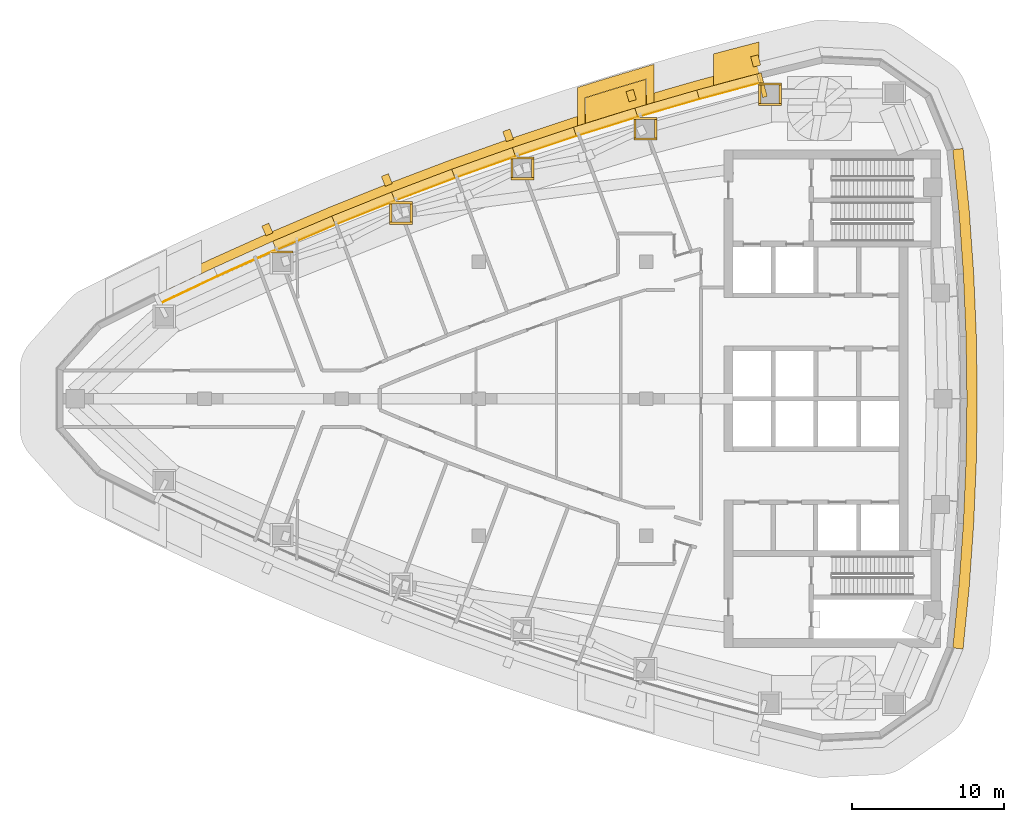
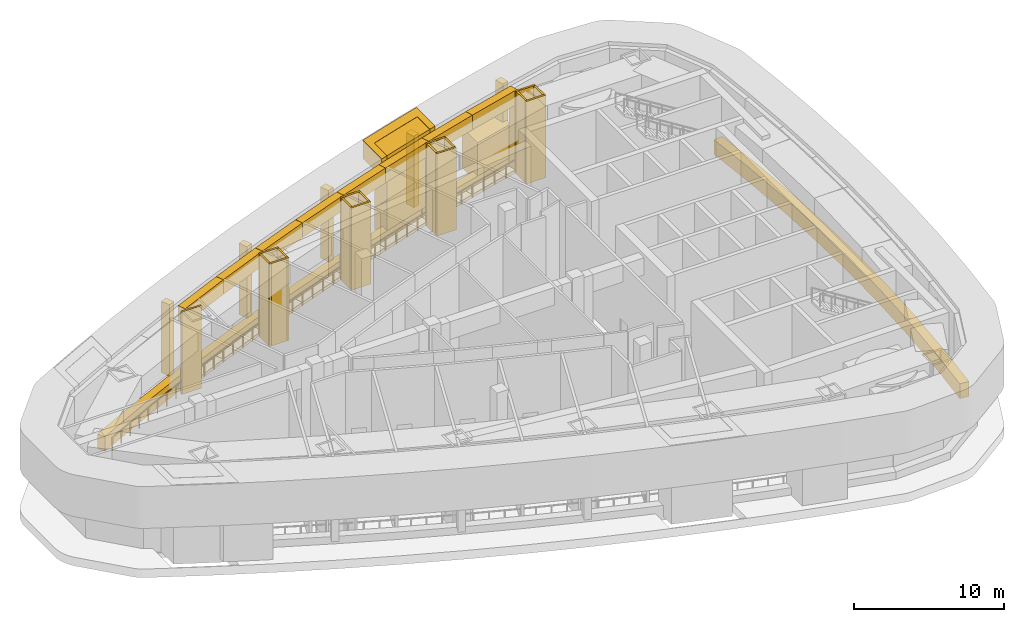
# One storey, part 10 of 12: 44 coverings, 1 railing.
"""IFC4 building model written with IfcOpenShell, lengths in metres."""

from ifc_helpers import new_model, si_unit, direction, frame, frame_2d, origin, origin_2d, place, context, subcontext, project, spatial, polyline, rectangle, circle, outline, extrude, material, layer, layer_set, type_object, element, save


model = new_model("IFC4")

# Units and contexts
model_context = context("Model", 3, precision=1e-05, world=origin(), true_north=direction((0.0, 1.0)))
body_context = subcontext(model_context, "Body", "Model", "MODEL_VIEW")
ifc_project = project(units=[si_unit("LENGTHUNIT", "METRE"), si_unit("AREAUNIT", "SQUARE_METRE"), si_unit("VOLUMEUNIT", "CUBIC_METRE"), si_unit("PLANEANGLEUNIT", "RADIAN"), si_unit("MASSUNIT", "GRAM", prefix="KILO")], contexts=[model_context])

# Site, building, storey
site_placement = place(None, origin())
site = spatial("IfcSite", under=ifc_project, at=site_placement, CompositionType="ELEMENT")
building_placement = place(site_placement, origin())
building = spatial("IfcBuilding", under=site, at=building_placement, Name="Ostrand Prow Hotel Tower", CompositionType="ELEMENT")
storey_placement = place(building_placement, frame((0.0, 0.0, 256.300048828125)))
storey = spatial("IfcBuildingStorey", under=building, at=storey_placement, Name="L65", CompositionType="ELEMENT", Elevation=256.300048828125)

# Coverings
ifc_material_1 = material(Name="Limestone cladding", Category="masonry")
ifc_layer_1 = layer(ifc_material_1, 2.0)
ifc_layer_set_1 = layer_set([ifc_layer_1], Name="Limestone cladding")
covering_type_1 = type_object("IfcCoveringType", Name="Belt lip limestone", PredefinedType="CLADDING", material=ifc_layer_set_1)
covering_1_placement = place(storey_placement, frame((0.0, 0.0, 0.300048828125)))
element("IfcCovering", 1, at=covering_1_placement, inside=storey, type_object=covering_type_1, Name="Slot frame post NB", PredefinedType="CLADDING", context=body_context, shape_type="SweptSolid", body=[
    extrude(outline(polyline([(49.40625, 20.56787109375), (50.15625, 20.771240234375), (50.90625, 20.9716796875), (51.65625, 21.169189453125), (52.40625, 21.363525390625), (52.40625, 23.427978515625), (51.65625, 23.235595703125), (50.90625, 23.0400390625), (50.15625, 22.841796875), (49.40625, 22.640380859375), (49.40625, 20.56787109375)])), origin(), (0.0, 0.0, 1.0), 3.2998046875),
])
ifc_material_2 = material(Name="Bronze anodised aluminium cladding", Category="aluminium")
ifc_layer_2 = layer(ifc_material_2, 0.60009765625)
ifc_layer_set_2 = layer_set([ifc_layer_2], Name="Bronze anodised aluminium cladding")
covering_type_2 = type_object("IfcCoveringType", Name="Bronze spandrel band 1200x600", PredefinedType="CLADDING", material=ifc_layer_set_2)
covering_2_placement = place(storey_placement, frame((0.0, 0.0, -0.300048828125)))
element("IfcCovering", 2, at=covering_2_placement, inside=storey, type_object=covering_type_2, Name="Spandrel band N1", PredefinedType="CLADDING", context=body_context, shape_type="SweptSolid", body=[
    extrude(outline(polyline([(52.256591796875, 21.944580078125), (48.16064453125, 20.846435546875), (44.087890625, 19.665771484375), (40.039306640625, 18.403564453125), (36.017333984375, 17.059814453125), (32.02294921875, 15.635498046875), (28.058349609375, 14.131103515625), (24.12451171875, 12.547119140625), (20.2236328125, 10.88427734375), (16.35693359375, 9.14306640625), (12.526123046875, 7.324462890625), (12.788818359375, 6.784912109375), (16.60888671875, 8.598388671875), (20.464599609375, 10.334716796875), (24.354248046875, 11.992919921875), (28.27685546875, 13.572265625), (32.230224609375, 15.072509765625), (36.213134765625, 16.49267578125), (40.223876953125, 17.83251953125), (44.260498046875, 19.09130859375), (48.322021484375, 20.268310546875), (52.40625, 21.363525390625), (52.256591796875, 21.944580078125)])), origin(), (0.0, 0.0, 1.0), 1.199951171875),
])
covering_3_placement = place(storey_placement, frame((0.0, 0.0, -0.300048828125)))
element("IfcCovering", 3, at=covering_3_placement, inside=storey, type_object=covering_type_2, Name="Spandrel band back 3", PredefinedType="CLADDING", context=body_context, shape_type="SweptSolid", body=[
    extrude(outline(polyline([(65.81201171875, -16.4365234375), (66.218505859375, -12.3388671875), (66.509033203125, -8.2314453125), (66.68359375, -4.117431640625), (66.74169921875, 0.0), (66.68359375, 4.117431640625), (66.509033203125, 8.2314453125), (66.218505859375, 12.3388671875), (65.81201171875, 16.4365234375), (65.13623046875, 16.35986328125), (65.541015625, 12.281494140625), (65.830078125, 8.193115234375), (66.00390625, 4.09814453125), (66.061767578125, 0.0), (66.00390625, -4.09814453125), (65.830078125, -8.193115234375), (65.541015625, -12.281494140625), (65.13623046875, -16.35986328125), (65.81201171875, -16.4365234375)])), origin(), (0.0, 0.0, 1.0), 1.199951171875),
])
ifc_material_3 = material(Name="Limestone cladding", Category="masonry")
ifc_layer_3 = layer(ifc_material_3, 5.0)
ifc_layer_set_3 = layer_set([ifc_layer_3], Name="Limestone cladding")
covering_type_3 = type_object("IfcCoveringType", Name="Portal jamb pilaster limestone", PredefinedType="CLADDING", material=ifc_layer_set_3)
covering_4_placement = place(storey_placement, origin())
element("IfcCovering", 4, at=covering_4_placement, inside=storey, type_object=covering_type_3, Name="Portal jamb NB L65", PredefinedType="CLADDING", context=body_context, shape_type="SweptSolid", body=[
    extrude(outline(polyline([(41.0, 18.08154296875), (42.0, 18.3974609375), (43.0, 18.707763671875), (44.0, 19.0126953125), (45.0, 19.312255859375), (45.0, 20.980712890625), (44.0, 20.68359375), (43.0, 20.381103515625), (42.0, 20.0732421875), (41.0, 19.760009765625), (41.0, 18.08154296875)])), origin(), (0.0, 0.0, 1.0), 7.0),
])
ifc_material_4 = material(Name="Limestone cladding", Category="masonry")
ifc_layer_4 = layer(ifc_material_4, 4.0)
ifc_layer_set_4 = layer_set([ifc_layer_4], Name="Limestone cladding")
covering_type_4 = type_object("IfcCoveringType", Name="Portal lintel limestone", PredefinedType="CLADDING", material=ifc_layer_set_4)
covering_5_placement = place(storey_placement, frame((0.0, 0.0, 5.5)))
element("IfcCovering", 5, at=covering_5_placement, inside=storey, type_object=covering_type_4, Name="Portal jamb cap NB L65", PredefinedType="CLADDING", context=body_context, shape_type="SweptSolid", body=[
    extrude(outline(polyline([(40.5, 20.44091796875), (40.5, 17.92138671875), (40.99072265625, 18.077880859375), (40.990478515625, 18.07861328125), (40.990234375, 18.07958984375), (40.989990234375, 18.08056640625), (40.989990234375, 18.08154296875), (40.989990234375, 19.760009765625), (40.989990234375, 19.760986328125), (40.990234375, 19.761962890625), (40.990478515625, 19.762939453125), (40.99072265625, 19.763916015625), (40.9912109375, 19.764892578125), (40.99169921875, 19.765625), (40.9921875, 19.766357421875), (40.992919921875, 19.76708984375), (40.99365234375, 19.767822265625), (40.994384765625, 19.768310546875), (40.9951171875, 19.768798828125), (40.99609375, 19.769287109375), (40.9970703125, 19.76953125), (41.9970703125, 20.0830078125), (41.9970703125, 20.0830078125), (42.9970703125, 20.390625), (42.9970703125, 20.390625), (43.9970703125, 20.693115234375), (43.997314453125, 20.693115234375), (44.997314453125, 20.990234375), (44.998046875, 20.990478515625), (44.9990234375, 20.990478515625), (45.0, 20.990478515625), (45.0009765625, 20.990478515625), (45.001953125, 20.990478515625), (45.0029296875, 20.990234375), (45.00390625, 20.98974609375), (45.004638671875, 20.989501953125), (45.005615234375, 20.989013671875), (45.00634765625, 20.98828125), (45.007080078125, 20.98779296875), (45.0078125, 20.98681640625), (45.00830078125, 20.986083984375), (45.0087890625, 20.9853515625), (45.00927734375, 20.984375), (45.009521484375, 20.9833984375), (45.009765625, 20.982666015625), (45.010009765625, 20.981689453125), (45.010009765625, 20.980712890625), (45.010009765625, 19.314453125), (45.5, 19.4599609375), (45.5, 21.960205078125), (44.5, 21.667236328125), (43.5, 21.36865234375), (42.5, 21.064697265625), (41.5, 20.755615234375), (40.5, 20.44091796875)])), origin(), (0.0, 0.0, 1.0), 1.5),
])
ifc_material_5 = material(Name="Limestone cladding", Category="masonry")
ifc_layer_5 = layer(ifc_material_5, 0.5)
ifc_layer_set_5 = layer_set([ifc_layer_5], Name="Limestone cladding")
covering_type_5 = type_object("IfcCoveringType", Name="Precast stone fin 500x600", PredefinedType="CLADDING", material=ifc_layer_set_5)
covering_6_placement = place(storey_placement, frame((52.281494140625, 21.847900390625, 0.89990234375), z_axis=(0.0, 0.0, 1.0), x_axis=(-0.249097137298, 0.968478505797, 0.0)))
element("IfcCovering", 6, at=covering_6_placement, inside=storey, type_object=covering_type_5, Name="Stone fin N 1", PredefinedType="CLADDING", context=body_context, shape_type="SweptSolid", body=[
    extrude(rectangle(XDim=0.69970703125, YDim=0.5, at=frame_2d((0.349853515625, 0.0))), origin(), (0.0, 0.0, 1.0), 5.800048828125),
])
covering_7_placement = place(storey_placement, frame((44.11669921875, 19.570068359375, 0.89990234375), z_axis=(0.0, 0.0, 1.0), x_axis=(-0.288371415505, 0.95751862996, 0.0)))
element("IfcCovering", 7, at=covering_7_placement, inside=storey, type_object=covering_type_5, Name="Stone fin N 3", PredefinedType="CLADDING", context=body_context, shape_type="SweptSolid", body=[
    extrude(rectangle(XDim=0.7001953125, YDim=0.5, at=frame_2d((0.35009765625, 0.0))), origin(), (0.0, 0.0, 1.0), 5.800048828125),
])
for number, where, z_axis, x_axis, name in (
    (8, (36.0498046875, 16.96533203125, 0.89990234375), (0.0, 0.0, 1.0), (-0.32646359768, 0.945209775335, 0.0), "Stone fin N 5"),
    (9, (28.0947265625, 14.0380859375, 0.89990234375), (0.0, 0.0, 1.0), (-0.364465099475, 0.931217048418, 0.0), "Stone fin N 7"),
    (10, (20.263916015625, 10.79248046875, 0.89990234375), (0.0, 0.0, 1.0), (-0.40144082023, 0.915884964312, 0.0), "Stone fin N 9"),
):
    element("IfcCovering", number, at=place(storey_placement, frame(where, z_axis=z_axis, x_axis=x_axis)), inside=storey, type_object=covering_type_5, Name=name, PredefinedType="CLADDING", context=body_context, shape_type="SweptSolid", body=[
        extrude(rectangle(XDim=0.699951171875, YDim=0.5, at=frame_2d((0.35009765625, 0.0))), origin(), (0.0, 0.0, 1.0), 5.800048828125),
    ])

# Railing
ifc_material_6 = material(Name="Stainless steel", Category="steel")
railing_type = type_object("IfcRailingType", Name="Slot floor guard 1100", PredefinedType="GUARDRAIL", material=ifc_material_6)
railing_placement = place(storey_placement, frame((52.5556640625, 20.782470703125, 0.0)))
element("IfcRailing", 11, at=railing_placement, inside=storey, type_object=railing_type, Name="Slot floor guard N", PredefinedType="GUARDRAIL", context=body_context, shape_type="SweptSolid", body=[
    extrude(circle(Radius=0.02392578125, at=origin_2d()), frame((0.0, 0.0, 1.076171875), z_axis=(-0.965877467492, -0.258999455194, 0.0), x_axis=(0.258999455194, -0.965877467492, 0.0)), (0.0, 0.0, 1.0), 4.21630859375),
    extrude(circle(Radius=0.02392578125, at=origin_2d()), frame((-4.072509765625, -1.092041015625, 1.076171875), z_axis=(-0.960468161109, -0.278389855233, 0.0), x_axis=(0.278389855233, -0.960468161109, 0.0)), (0.0, 0.0, 1.0), 4.216552734375),
    extrude(circle(Radius=0.02392578125, at=origin_2d()), frame((-8.122314453125, -2.265869140625, 1.076171875), z_axis=(-0.9546642231, -0.297684768057, 0.0), x_axis=(0.297684768057, -0.9546642231, 0.0)), (0.0, 0.0, 1.0), 4.21630859375),
    extrude(circle(Radius=0.02392578125, at=origin_2d()), frame((-12.1474609375, -3.52099609375, 1.076171875), z_axis=(-0.948480448854, -0.316835664253, 0.0), x_axis=(0.316835664253, -0.948480448854, 0.0)), (0.0, 0.0, 1.0), 4.216552734375),
    extrude(circle(Radius=0.02392578125, at=origin_2d()), frame((-16.146728515625, -4.85693359375, 1.076171875), z_axis=(-0.941918636434, -0.33584115641, 0.0), x_axis=(0.33584115641, -0.941918636434, 0.0)), (0.0, 0.0, 1.0), 4.21630859375),
    extrude(circle(Radius=0.02392578125, at=origin_2d()), frame((-20.1181640625, -6.27294921875, 1.076171875), z_axis=(-0.934934614515, -0.354820048167, 0.0), x_axis=(0.354820048167, -0.934934614515, 0.0)), (0.0, 0.0, 1.0), 4.216552734375),
    extrude(circle(Radius=0.02392578125, at=origin_2d()), frame((-24.060302734375, -7.76904296875, 1.076171875), z_axis=(-0.92762371786, -0.373516047932, 0.0), x_axis=(0.373516047932, -0.92762371786, 0.0)), (0.0, 0.0, 1.0), 4.216552734375),
    extrude(circle(Radius=0.02392578125, at=origin_2d()), frame((-27.9716796875, -9.343994140625, 1.076171875), z_axis=(-0.919912992609, -0.392122539557, 0.0), x_axis=(0.392122539557, -0.919912992609, 0.0)), (0.0, 0.0, 1.0), 4.21630859375),
    extrude(circle(Radius=0.02392578125, at=origin_2d()), frame((-31.850341796875, -10.997314453125, 1.076171875), z_axis=(-0.911826142411, -0.410576528818, 0.0), x_axis=(0.410576528818, -0.911826142411, 0.0)), (0.0, 0.0, 1.0), 4.216552734375),
    extrude(circle(Radius=0.02392578125, at=origin_2d()), frame((-35.695068359375, -12.728515625, 1.076171875), z_axis=(-0.9033661224, -0.428870200527, 0.0), x_axis=(0.428870200527, -0.9033661224, 0.0)), (0.0, 0.0, 1.0), 4.216552734375),
    extrude(circle(Radius=0.02099609375, at=origin_2d()), origin(), (0.0, 0.0, 1.0), 1.052001953125),
    extrude(circle(Radius=0.02099609375, at=origin_2d()), frame((-1.01806640625, -0.27294921875, 0.0)), (0.0, 0.0, 1.0), 1.052001953125),
    extrude(circle(Radius=0.02099609375, at=origin_2d()), frame((-2.0361328125, -0.5458984375, 0.0)), (0.0, 0.0, 1.0), 1.052001953125),
    extrude(circle(Radius=0.02099609375, at=origin_2d()), frame((-3.054443359375, -0.819091796875, 0.0)), (0.0, 0.0, 1.0), 1.052001953125),
    extrude(circle(Radius=0.02099609375, at=origin_2d()), frame((-4.072509765625, -1.092041015625, 0.0)), (0.0, 0.0, 1.0), 1.052001953125),
    extrude(circle(Radius=0.02099609375, at=origin_2d()), frame((-5.0849609375, -1.385498046875, 0.0)), (0.0, 0.0, 1.0), 1.052001953125),
    extrude(circle(Radius=0.02099609375, at=origin_2d()), frame((-6.097412109375, -1.678955078125, 0.0)), (0.0, 0.0, 1.0), 1.052001953125),
    extrude(circle(Radius=0.02099609375, at=origin_2d()), frame((-7.10986328125, -1.972412109375, 0.0)), (0.0, 0.0, 1.0), 1.052001953125),
    extrude(circle(Radius=0.02099609375, at=origin_2d()), frame((-8.122314453125, -2.265869140625, 0.0)), (0.0, 0.0, 1.0), 1.052001953125),
    extrude(circle(Radius=0.02099609375, at=origin_2d()), frame((-9.128662109375, -2.57958984375, 0.0)), (0.0, 0.0, 1.0), 1.052001953125),
    extrude(circle(Radius=0.02099609375, at=origin_2d()), frame((-10.134765625, -2.8935546875, 0.0)), (0.0, 0.0, 1.0), 1.052001953125),
    extrude(circle(Radius=0.02099609375, at=origin_2d()), frame((-11.14111328125, -3.207275390625, 0.0)), (0.0, 0.0, 1.0), 1.052001953125),
    extrude(circle(Radius=0.02099609375, at=origin_2d()), frame((-12.1474609375, -3.52099609375, 0.0)), (0.0, 0.0, 1.0), 1.052001953125),
    extrude(circle(Radius=0.02099609375, at=origin_2d()), frame((-13.147216796875, -3.85498046875, 0.0)), (0.0, 0.0, 1.0), 1.052001953125),
    extrude(circle(Radius=0.02099609375, at=origin_2d()), frame((-14.14697265625, -4.18896484375, 0.0)), (0.0, 0.0, 1.0), 1.052001953125),
    extrude(circle(Radius=0.02099609375, at=origin_2d()), frame((-15.14697265625, -4.52294921875, 0.0)), (0.0, 0.0, 1.0), 1.052001953125),
    extrude(circle(Radius=0.02099609375, at=origin_2d()), frame((-16.146728515625, -4.85693359375, 0.0)), (0.0, 0.0, 1.0), 1.052001953125),
    extrude(circle(Radius=0.02099609375, at=origin_2d()), frame((-17.1396484375, -5.2109375, 0.0)), (0.0, 0.0, 1.0), 1.052001953125),
    extrude(circle(Radius=0.02099609375, at=origin_2d()), frame((-18.13232421875, -5.56494140625, 0.0)), (0.0, 0.0, 1.0), 1.052001953125),
    extrude(circle(Radius=0.02099609375, at=origin_2d()), frame((-19.125244140625, -5.9189453125, 0.0)), (0.0, 0.0, 1.0), 1.052001953125),
    extrude(circle(Radius=0.02099609375, at=origin_2d()), frame((-20.1181640625, -6.27294921875, 0.0)), (0.0, 0.0, 1.0), 1.052001953125),
    extrude(circle(Radius=0.02099609375, at=origin_2d()), frame((-21.103759765625, -6.64697265625, 0.0)), (0.0, 0.0, 1.0), 1.052001953125),
    extrude(circle(Radius=0.02099609375, at=origin_2d()), frame((-22.08935546875, -7.02099609375, 0.0)), (0.0, 0.0, 1.0), 1.052001953125),
    extrude(circle(Radius=0.02099609375, at=origin_2d()), frame((-23.07470703125, -7.39501953125, 0.0)), (0.0, 0.0, 1.0), 1.052001953125),
    extrude(circle(Radius=0.02099609375, at=origin_2d()), frame((-24.060302734375, -7.76904296875, 0.0)), (0.0, 0.0, 1.0), 1.052001953125),
    extrude(circle(Radius=0.02099609375, at=origin_2d()), frame((-25.0380859375, -8.162841796875, 0.0)), (0.0, 0.0, 1.0), 1.052001953125),
    extrude(circle(Radius=0.02099609375, at=origin_2d()), frame((-26.01611328125, -8.556640625, 0.0)), (0.0, 0.0, 1.0), 1.052001953125),
    extrude(circle(Radius=0.02099609375, at=origin_2d()), frame((-26.993896484375, -8.9501953125, 0.0)), (0.0, 0.0, 1.0), 1.052001953125),
    extrude(circle(Radius=0.02099609375, at=origin_2d()), frame((-27.9716796875, -9.343994140625, 0.0)), (0.0, 0.0, 1.0), 1.052001953125),
    extrude(circle(Radius=0.02099609375, at=origin_2d()), frame((-28.94140625, -9.75732421875, 0.0)), (0.0, 0.0, 1.0), 1.052001953125),
    extrude(circle(Radius=0.02099609375, at=origin_2d()), frame((-29.9111328125, -10.170654296875, 0.0)), (0.0, 0.0, 1.0), 1.052001953125),
    extrude(circle(Radius=0.02099609375, at=origin_2d()), frame((-30.880615234375, -10.583984375, 0.0)), (0.0, 0.0, 1.0), 1.052001953125),
    extrude(circle(Radius=0.02099609375, at=origin_2d()), frame((-31.850341796875, -10.997314453125, 0.0)), (0.0, 0.0, 1.0), 1.052001953125),
    extrude(circle(Radius=0.02099609375, at=origin_2d()), frame((-32.8115234375, -11.43017578125, 0.0)), (0.0, 0.0, 1.0), 1.052001953125),
    extrude(circle(Radius=0.02099609375, at=origin_2d()), frame((-33.772705078125, -11.86279296875, 0.0)), (0.0, 0.0, 1.0), 1.052001953125),
    extrude(circle(Radius=0.02099609375, at=origin_2d()), frame((-34.73388671875, -12.295654296875, 0.0)), (0.0, 0.0, 1.0), 1.052001953125),
    extrude(circle(Radius=0.02099609375, at=origin_2d()), frame((-35.695068359375, -12.728515625, 0.0)), (0.0, 0.0, 1.0), 1.052001953125),
    extrude(circle(Radius=0.02099609375, at=origin_2d()), frame((-36.6474609375, -13.1806640625, 0.0)), (0.0, 0.0, 1.0), 1.052001953125),
    extrude(circle(Radius=0.02099609375, at=origin_2d()), frame((-37.599609375, -13.6328125, 0.0)), (0.0, 0.0, 1.0), 1.052001953125),
    extrude(circle(Radius=0.02099609375, at=origin_2d()), frame((-38.5517578125, -14.084716796875, 0.0)), (0.0, 0.0, 1.0), 1.052001953125),
    extrude(circle(Radius=0.02099609375, at=origin_2d()), frame((-39.504150390625, -14.536865234375, 0.0)), (0.0, 0.0, 1.0), 1.052001953125),
])

# Coverings
ifc_material_7 = material(Name="Limestone cladding", Category="masonry")
ifc_layer_6 = layer(ifc_material_7, 0.60009765625)
ifc_layer_set_6 = layer_set([ifc_layer_6], Name="Limestone cladding")
covering_type_6 = type_object("IfcCoveringType", Name="Slot reveal limestone cladding 600 mm", PredefinedType="CLADDING", material=ifc_layer_set_6)
covering_8_placement = place(storey_placement, frame((52.48095703125, 21.072998046875, 0.0), z_axis=(0.0, 0.0, 1.0), x_axis=(-0.965883767671, -0.258975959018, 0.0)))
element("IfcCovering", 12, at=covering_8_placement, inside=storey, type_object=covering_type_6, Name="Slot reveal sill N1", PredefinedType="CLADDING", context=body_context, shape_type="SweptSolid", body=[
    extrude(rectangle(XDim=4.222412109375, YDim=0.60009765625, at=frame_2d((2.111328125, 0.0))), origin(), (0.0, 0.0, 1.0), 0.25),
])
covering_9_placement = place(storey_placement, frame((52.48095703125, 21.072998046875, 5.5), z_axis=(0.0, 0.0, 1.0), x_axis=(-0.965883767671, -0.258975959018, 0.0)))
element("IfcCovering", 13, at=covering_9_placement, inside=storey, type_object=covering_type_6, Name="Slot reveal soffit N1", PredefinedType="CLADDING", context=body_context, shape_type="SweptSolid", body=[
    extrude(rectangle(XDim=4.222412109375, YDim=0.60009765625, at=frame_2d((2.111328125, 0.0))), origin(), (0.0, 0.0, 1.0), 1.199951171875),
])
covering_10_placement = place(storey_placement, frame((48.402587890625, 19.9794921875, 0.0), z_axis=(0.0, 0.0, 1.0), x_axis=(-0.960467486358, -0.27839218317, 0.0)))
element("IfcCovering", 14, at=covering_10_placement, inside=storey, type_object=covering_type_6, Name="Slot reveal sill N2", PredefinedType="CLADDING", context=body_context, shape_type="SweptSolid", body=[
    extrude(rectangle(XDim=4.22265625, YDim=0.60009765625, at=frame_2d((2.111328125, 0.0))), origin(), (0.0, 0.0, 1.0), 0.25),
])
covering_11_placement = place(storey_placement, frame((48.402587890625, 19.9794921875, 5.5), z_axis=(0.0, 0.0, 1.0), x_axis=(-0.960467486358, -0.27839218317, 0.0)))
element("IfcCovering", 15, at=covering_11_placement, inside=storey, type_object=covering_type_6, Name="Slot reveal soffit N2", PredefinedType="CLADDING", context=body_context, shape_type="SweptSolid", body=[
    extrude(rectangle(XDim=4.22265625, YDim=0.60009765625, at=frame_2d((2.111328125, 0.0))), origin(), (0.0, 0.0, 1.0), 1.199951171875),
])
covering_12_placement = place(storey_placement, frame((44.346923828125, 18.803955078125, 0.0), z_axis=(0.0, 0.0, 1.0), x_axis=(-0.954672171114, -0.297659277869, 0.0)))
element("IfcCovering", 16, at=covering_12_placement, inside=storey, type_object=covering_type_6, Name="Slot reveal sill N3", PredefinedType="CLADDING", context=body_context, shape_type="SweptSolid", body=[
    extrude(rectangle(XDim=4.222412109375, YDim=0.60009765625, at=frame_2d((2.111328125, 0.0))), origin(), (0.0, 0.0, 1.0), 0.25),
])
covering_13_placement = place(storey_placement, frame((44.346923828125, 18.803955078125, 5.5), z_axis=(0.0, 0.0, 1.0), x_axis=(-0.954672171114, -0.297659277869, 0.0)))
element("IfcCovering", 17, at=covering_13_placement, inside=storey, type_object=covering_type_6, Name="Slot reveal soffit N3", PredefinedType="CLADDING", context=body_context, shape_type="SweptSolid", body=[
    extrude(rectangle(XDim=4.222412109375, YDim=0.60009765625, at=frame_2d((2.111328125, 0.0))), origin(), (0.0, 0.0, 1.0), 1.199951171875),
])
covering_14_placement = place(storey_placement, frame((40.31591796875, 17.547119140625, 0.0), z_axis=(0.0, 0.0, 1.0), x_axis=(-0.948474941485, -0.316852150655, 0.0)))
element("IfcCovering", 18, at=covering_14_placement, inside=storey, type_object=covering_type_6, Name="Slot reveal sill N4", PredefinedType="CLADDING", context=body_context, shape_type="SweptSolid", body=[
    extrude(rectangle(XDim=4.222412109375, YDim=0.60009765625, at=frame_2d((2.111328125, 0.0))), origin(), (0.0, 0.0, 1.0), 0.25),
])
covering_15_placement = place(storey_placement, frame((40.31591796875, 17.547119140625, 5.5), z_axis=(0.0, 0.0, 1.0), x_axis=(-0.948474941485, -0.316852150655, 0.0)))
element("IfcCovering", 19, at=covering_15_placement, inside=storey, type_object=covering_type_6, Name="Slot reveal soffit N4", PredefinedType="CLADDING", context=body_context, shape_type="SweptSolid", body=[
    extrude(rectangle(XDim=4.222412109375, YDim=0.60009765625, at=frame_2d((2.111328125, 0.0))), origin(), (0.0, 0.0, 1.0), 1.199951171875),
])
covering_16_placement = place(storey_placement, frame((36.31103515625, 16.209228515625, 0.0), z_axis=(0.0, 0.0, 1.0), x_axis=(-0.941910537463, -0.335863870365, 0.0)))
element("IfcCovering", 20, at=covering_16_placement, inside=storey, type_object=covering_type_6, Name="Slot reveal sill N5", PredefinedType="CLADDING", context=body_context, shape_type="SweptSolid", body=[
    extrude(rectangle(XDim=4.22265625, YDim=0.60009765625, at=frame_2d((2.111328125, 0.0))), origin(), (0.0, 0.0, 1.0), 0.25),
])
covering_17_placement = place(storey_placement, frame((36.31103515625, 16.209228515625, 5.5), z_axis=(0.0, 0.0, 1.0), x_axis=(-0.941910537463, -0.335863870365, 0.0)))
element("IfcCovering", 21, at=covering_17_placement, inside=storey, type_object=covering_type_6, Name="Slot reveal soffit N5", PredefinedType="CLADDING", context=body_context, shape_type="SweptSolid", body=[
    extrude(rectangle(XDim=4.22265625, YDim=0.60009765625, at=frame_2d((2.111328125, 0.0))), origin(), (0.0, 0.0, 1.0), 1.199951171875),
])
covering_18_placement = place(storey_placement, frame((32.333740234375, 14.791015625, 0.0), z_axis=(0.0, 0.0, 1.0), x_axis=(-0.934948592848, -0.354783213712, 0.0)))
element("IfcCovering", 22, at=covering_18_placement, inside=storey, type_object=covering_type_6, Name="Slot reveal sill N6", PredefinedType="CLADDING", context=body_context, shape_type="SweptSolid", body=[
    extrude(rectangle(XDim=4.222412109375, YDim=0.60009765625, at=frame_2d((2.111328125, 0.0))), origin(), (0.0, 0.0, 1.0), 0.25),
])
covering_19_placement = place(storey_placement, frame((32.333740234375, 14.791015625, 5.5), z_axis=(0.0, 0.0, 1.0), x_axis=(-0.934948592848, -0.354783213712, 0.0)))
element("IfcCovering", 23, at=covering_19_placement, inside=storey, type_object=covering_type_6, Name="Slot reveal soffit N6", PredefinedType="CLADDING", context=body_context, shape_type="SweptSolid", body=[
    extrude(rectangle(XDim=4.222412109375, YDim=0.60009765625, at=frame_2d((2.111328125, 0.0))), origin(), (0.0, 0.0, 1.0), 1.199951171875),
])
covering_20_placement = place(storey_placement, frame((28.385986328125, 13.29296875, 0.0), z_axis=(0.0, 0.0, 1.0), x_axis=(-0.927620882998, -0.373523088211, 0.0)))
element("IfcCovering", 24, at=covering_20_placement, inside=storey, type_object=covering_type_6, Name="Slot reveal sill N7", PredefinedType="CLADDING", context=body_context, shape_type="SweptSolid", body=[
    extrude(rectangle(XDim=4.222412109375, YDim=0.60009765625, at=frame_2d((2.111328125, 0.0))), origin(), (0.0, 0.0, 1.0), 0.25),
])
covering_21_placement = place(storey_placement, frame((28.385986328125, 13.29296875, 5.5), z_axis=(0.0, 0.0, 1.0), x_axis=(-0.927620882998, -0.373523088211, 0.0)))
element("IfcCovering", 25, at=covering_21_placement, inside=storey, type_object=covering_type_6, Name="Slot reveal soffit N7", PredefinedType="CLADDING", context=body_context, shape_type="SweptSolid", body=[
    extrude(rectangle(XDim=4.222412109375, YDim=0.60009765625, at=frame_2d((2.111328125, 0.0))), origin(), (0.0, 0.0, 1.0), 1.199951171875),
])
covering_22_placement = place(storey_placement, frame((24.46923828125, 11.7158203125, 0.0), z_axis=(0.0, 0.0, 1.0), x_axis=(-0.919888046643, -0.392181057221, 0.0)))
element("IfcCovering", 26, at=covering_22_placement, inside=storey, type_object=covering_type_6, Name="Slot reveal sill N8", PredefinedType="CLADDING", context=body_context, shape_type="SweptSolid", body=[
    extrude(rectangle(XDim=4.22265625, YDim=0.60009765625, at=frame_2d((2.111328125, 0.0))), origin(), (0.0, 0.0, 1.0), 0.25),
])
covering_23_placement = place(storey_placement, frame((24.46923828125, 11.7158203125, 5.5), z_axis=(0.0, 0.0, 1.0), x_axis=(-0.919888046643, -0.392181057221, 0.0)))
element("IfcCovering", 27, at=covering_23_placement, inside=storey, type_object=covering_type_6, Name="Slot reveal soffit N8", PredefinedType="CLADDING", context=body_context, shape_type="SweptSolid", body=[
    extrude(rectangle(XDim=4.22265625, YDim=0.60009765625, at=frame_2d((2.111328125, 0.0))), origin(), (0.0, 0.0, 1.0), 1.199951171875),
])
covering_24_placement = place(storey_placement, frame((52.40625, 21.363525390625, 0.25), z_axis=(0.0, 0.0, 1.0), x_axis=(0.249208717817, -0.968449799919, 0.0)))
element("IfcCovering", 28, at=covering_24_placement, inside=storey, type_object=covering_type_6, Name="Slot reveal jamb NA", PredefinedType="CLADDING", context=body_context, shape_type="SweptSolid", body=[
    extrude(rectangle(XDim=1.599853515625, YDim=0.300048828125, at=frame_2d((0.7998046875, 0.0))), origin(), (0.0, 0.0, 1.0), 5.25),
])
for number, where, z_axis, x_axis, name in (
    (29, (52.37548828125, 19.324462890625, 0.0), (0.0, 0.0, 1.0), (1.0, 0.0, 0.0), "Slot column sleeve MC-N1 1"),
    (30, (53.800537109375, 19.24951171875, 0.0), (0.0, 0.0, 1.0), (0.0, 1.0, 0.0), "Slot column sleeve MC-N1 2"),
    (31, (53.87548828125, 20.674560546875, 0.0), (0.0, 0.0, 1.0), (-1.0, 0.0, 0.0), "Slot column sleeve MC-N1 3"),
    (32, (52.450439453125, 20.74951171875, 0.0), (0.0, 0.0, 1.0), (0.0, -1.0, 0.0), "Slot column sleeve MC-N1 4"),
    (33, (44.19677734375, 17.05615234375, 0.0), (0.0, 0.0, 1.0), (1.0, 0.0, 0.0), "Slot column sleeve MC-N2 1"),
    (34, (45.621826171875, 16.981201171875, 0.0), (0.0, 0.0, 1.0), (0.0, 1.0, 0.0), "Slot column sleeve MC-N2 2"),
    (35, (45.69677734375, 18.406005859375, 0.0), (0.0, 0.0, 1.0), (-1.0, 0.0, 0.0), "Slot column sleeve MC-N2 3"),
    (36, (44.271728515625, 18.481201171875, 0.0), (0.0, 0.0, 1.0), (0.0, -1.0, 0.0), "Slot column sleeve MC-N2 4"),
    (37, (36.1171875, 14.45654296875, 0.0), (0.0, 0.0, 1.0), (1.0, 0.0, 0.0), "Slot column sleeve MC-N3 1"),
    (38, (37.542236328125, 14.381591796875, 0.0), (0.0, 0.0, 1.0), (0.0, 1.0, 0.0), "Slot column sleeve MC-N3 2"),
    (39, (37.6171875, 15.806640625, 0.0), (0.0, 0.0, 1.0), (-1.0, 0.0, 0.0), "Slot column sleeve MC-N3 3"),
    (40, (36.192138671875, 15.881591796875, 0.0), (0.0, 0.0, 1.0), (0.0, -1.0, 0.0), "Slot column sleeve MC-N3 4"),
    (41, (28.150146484375, 11.530517578125, 0.0), (0.0, 0.0, 1.0), (1.0, 0.0, 0.0), "Slot column sleeve MC-N4 1"),
    (42, (29.5751953125, 11.455322265625, 0.0), (0.0, 0.0, 1.0), (0.0, 1.0, 0.0), "Slot column sleeve MC-N4 2"),
    (43, (29.650146484375, 12.88037109375, 0.0), (0.0, 0.0, 1.0), (-1.0, 0.0, 0.0), "Slot column sleeve MC-N4 3"),
    (44, (28.22509765625, 12.955322265625, 0.0), (0.0, 0.0, 1.0), (0.0, -1.0, 0.0), "Slot column sleeve MC-N4 4"),
    (45, (21.80859375, 9.63232421875, 0.0), (0.0, 0.0, 1.0), (-1.0, 0.0, 0.0), "Slot column sleeve MC-N5 3"),
):
    element("IfcCovering", number, at=place(storey_placement, frame(where, z_axis=z_axis, x_axis=x_axis)), inside=storey, type_object=covering_type_6, Name=name, PredefinedType="CLADDING", context=body_context, shape_type="SweptSolid", body=[
        extrude(rectangle(XDim=1.5, YDim=0.14990234375, at=frame_2d((0.75, 0.0))), origin(), (0.0, 0.0, 1.0), 6.699951171875),
    ])

save(model, "model.ifc")
